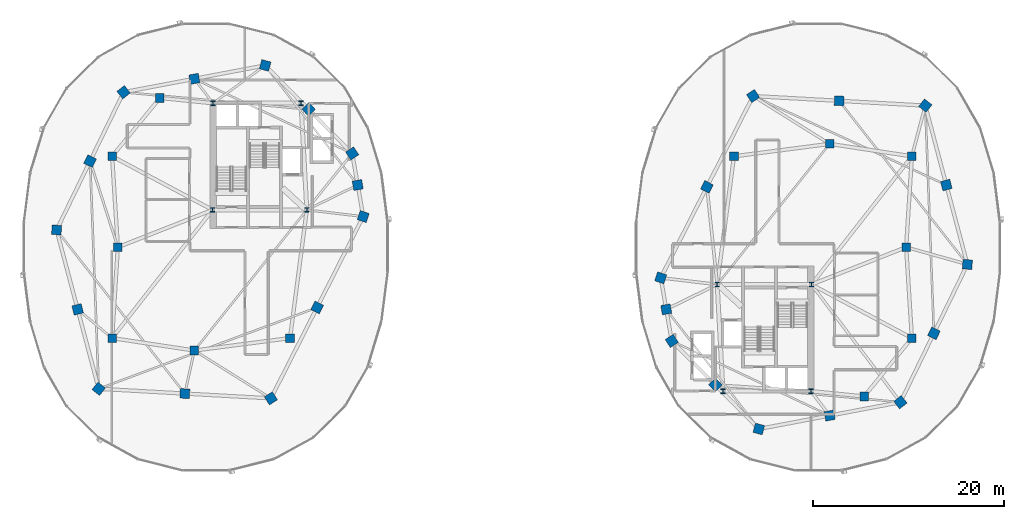
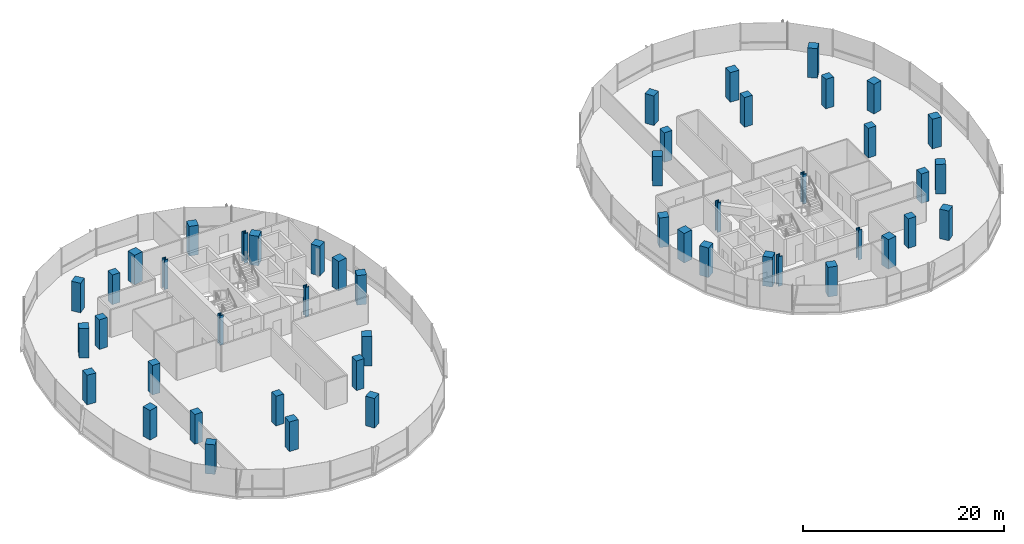
# One storey, part 1 of 21: 48 columns.
"""IFC4 building model written with IfcOpenShell, lengths in metres."""

import ifcopenshell
import ifcopenshell.guid

model = None  # the IFC model being written
_history = None  # IfcOwnerHistory: only IFC2X3 demands one
_inside = {}  # id of a spatial element -> (the spatial element, [elements in it])
_under = {}  # id of a project, library or spatial element -> (it, [spatial elements below it])
_declared = {}  # id of a project -> (the project, [libraries it declares])
_typed = {}  # id of a type object -> (the type object, [elements of that type])
_made_of = {}  # id of a material, layer set ... -> (it, [elements and type objects made of it])


def new_model(schema):
    """Start an empty IFC model of exactly this schema.

    Asked for "IFC4X3", IfcOpenShell would pick the latest addendum, in which some entities
    have other attributes; the version numbers below select the first issue.
    IFC2X3 requires an IfcOwnerHistory on every rooted entity: one is made here for all.
    """
    global model, _history
    if schema == "IFC4X3":
        model = ifcopenshell.file(schema_version=(4, 3, 0, 0))
    else:
        model = ifcopenshell.file(schema=schema)
    _inside.clear()
    _under.clear()
    _declared.clear()
    _typed.clear()
    _made_of.clear()
    _history = None
    if model.schema == "IFC2X3":
        org = make("IfcOrganization", Name="unknown")
        user = make(
            "IfcPersonAndOrganization",
            ThePerson=make("IfcPerson", FamilyName="unknown"),
            TheOrganization=org,
        )
        app = make(
            "IfcApplication",
            ApplicationDeveloper=org,
            Version="unknown",
            ApplicationFullName="unknown",
            ApplicationIdentifier="unknown",
        )
        _history = make(
            "IfcOwnerHistory",
            OwningUser=user,
            OwningApplication=app,
            ChangeAction="ADDED",
            CreationDate=0,
        )
    return model


def make(cls, **values):
    """One entity of the class cls with the attributes given. An attribute that is None is left unset."""
    return model.create_entity(
        cls, **{name: value for name, value in values.items() if value is not None}
    )


def rooted(cls, **values):
    """An entity with a GlobalId (a new one), such as an element, a storey or a relation."""
    return make(cls, GlobalId=ifcopenshell.guid.new(), OwnerHistory=_history, **values)


def si_unit(unit_type, name, prefix=None):
    """IfcSIUnit, for example si_unit("LENGTHUNIT", "METRE", prefix="MILLI")."""
    return make("IfcSIUnit", UnitType=unit_type, Prefix=prefix, Name=name)


def assignment(units):
    """IfcUnitAssignment: the units of a project."""
    return None if units is None else make("IfcUnitAssignment", Units=units)


def point(xyz):
    """IfcCartesianPoint."""
    return None if xyz is None else make("IfcCartesianPoint", Coordinates=xyz)


def direction(xyz):
    """IfcDirection."""
    return None if xyz is None else make("IfcDirection", DirectionRatios=xyz)


def frame(location, z_axis=None, x_axis=None):
    """IfcAxis2Placement3D, a coordinate frame: its origin and axes. An axis left out is left unset."""
    return make(
        "IfcAxis2Placement3D",
        Location=point(location),
        Axis=direction(z_axis),
        RefDirection=direction(x_axis),
    )


def frame_2d(location, x_axis=None):
    """IfcAxis2Placement2D, a coordinate frame in the plane: its origin and x axis."""
    return make(
        "IfcAxis2Placement2D", Location=point(location), RefDirection=direction(x_axis)
    )


def origin():
    """The frame at (0, 0, 0) with its axes left unset."""
    return frame((0.0, 0.0, 0.0))


def origin_2d():
    """The frame at (0, 0) in the plane with its x axis left unset."""
    return frame_2d((0.0, 0.0))


def place(relative_to, where):
    """IfcLocalPlacement: puts the frame where relative to a parent placement (None: the world)."""
    return make(
        "IfcLocalPlacement", PlacementRelTo=relative_to, RelativePlacement=where
    )


def context(
    kind, dimensions, precision=None, world=None, true_north=None, identifier=None
):
    """IfcGeometricRepresentationContext, for example the 3D "Model" context."""
    return make(
        "IfcGeometricRepresentationContext",
        ContextIdentifier=identifier,
        ContextType=kind,
        CoordinateSpaceDimension=dimensions,
        Precision=precision,
        WorldCoordinateSystem=world,
        TrueNorth=true_north,
    )


def subcontext(parent, identifier, kind, view, scale=None):
    """IfcGeometricRepresentationSubContext, for example "Body" below "Model"."""
    return make(
        "IfcGeometricRepresentationSubContext",
        ContextIdentifier=identifier,
        ContextType=kind,
        ParentContext=parent,
        TargetScale=scale,
        TargetView=view,
    )


def project(units=None, contexts=None):
    """IfcProject with its units and contexts."""
    return rooted(
        "IfcProject",
        Name="project",
        RepresentationContexts=contexts,
        UnitsInContext=assignment(units),
    )


def spatial(cls, under=None, at=None, **own):
    """A site, building, storey or space (cls), placed at a placement, below another one or the project."""
    s = rooted(cls, ObjectPlacement=at, **own)
    if under is not None:
        _under.setdefault(under.id(), (under, []))[1].append(s)
    return s


def profile(cls, at=None, kind="AREA", **sizes):
    """A parametric profile (cls). Its sizes go by their IFC names, for example OverallWidth=200.0."""
    return make(cls, ProfileType=kind, Position=at, **sizes)


def rectangle(**sizes):
    """IfcRectangleProfileDef."""
    return profile("IfcRectangleProfileDef", **sizes)


def i_section(**sizes):
    """IfcIShapeProfileDef."""
    return profile("IfcIShapeProfileDef", **sizes)


def extrude(swept, where, along, depth):
    """IfcExtrudedAreaSolid: the profile swept, set in the frame where, extruded along a direction by depth."""
    return make(
        "IfcExtrudedAreaSolid",
        SweptArea=swept,
        Position=where,
        ExtrudedDirection=direction(along),
        Depth=depth,
    )


def shape(context_of_items, identifier, shape_type, items):
    """IfcShapeRepresentation: the items that make up one representation, for example the "Body"."""
    return make(
        "IfcShapeRepresentation",
        ContextOfItems=context_of_items,
        RepresentationIdentifier=identifier,
        RepresentationType=shape_type,
        Items=items,
    )


def material(Name=None, Category=None):
    """IfcMaterial."""
    return make("IfcMaterial", Name=Name, Category=Category)


def material_profile(
    of_material, cross_section, Name=None, Category=None, Priority=None
):
    """IfcMaterialProfile: a cross section and its material."""
    return make(
        "IfcMaterialProfile",
        Name=Name,
        Material=of_material,
        Profile=cross_section,
        Priority=Priority,
        Category=Category,
    )


def profile_set(profiles, Name=None, composite=None):
    """IfcMaterialProfileSet."""
    return make(
        "IfcMaterialProfileSet",
        Name=Name,
        MaterialProfiles=profiles,
        CompositeProfile=composite,
    )


def made_of(thing, what):
    """Note that an element or type object is made of a material, layer set ...; save() writes the relation."""
    if what is not None:
        _made_of.setdefault(what.id(), (what, []))[1].append(thing)
    return thing


def type_object(cls, material=None, **own):
    """A type object (cls), such as IfcWallType, which elements share."""
    return made_of(rooted(cls, **own), material)


def element(
    cls,
    number,
    at=None,
    inside=None,
    cuts=None,
    type_object=None,
    material=None,
    context=None,
    identifier="Body",
    shape_type=None,
    held_by="IfcProductDefinitionShape",
    body=None,
    shapes=None,
    **own,
):
    """One element of the class cls, such as IfcWall. Its Tag is "e" and its number.

    at: its placement. inside: the storey or other place that contains it. cuts: it is an
    opening in that element (IfcRelVoidsElement). A single representation is given by context,
    identifier, shape_type and body (its items); several are given by shapes. held_by: the class
    of the entity that holds the representations. save() writes the other relations.
    """
    e = rooted(cls, Tag="e%d" % number, ObjectPlacement=at, **own)
    if body is not None:
        shapes = [shape(context, identifier, shape_type, body)]
    if shapes is not None:
        e.Representation = make(held_by, Representations=shapes)
    if inside is not None:
        _inside.setdefault(inside.id(), (inside, []))[1].append(e)
    if cuts is not None:
        rooted(
            "IfcRelVoidsElement", RelatingBuildingElement=cuts, RelatedOpeningElement=e
        )
    if type_object is not None:
        _typed.setdefault(type_object.id(), (type_object, []))[1].append(e)
    return made_of(e, material)


def aggregate(whole, parts):
    """IfcRelAggregates: a whole, such as a stair, and the parts it consists of."""
    return rooted("IfcRelAggregates", RelatingObject=whole, RelatedObjects=parts)


def save(model, path):
    """Write the relations noted so far, then the file.

    IfcRelAggregates (storeys below a building ...), IfcRelContainedInSpatialStructure (elements
    in a storey), IfcRelDefinesByType, IfcRelAssociatesMaterial and IfcRelDeclares: one each for
    every whole, place, type object, material and project.
    """
    for whole, parts in _under.values():
        aggregate(whole, parts)
    for where, things in _inside.values():
        rooted(
            "IfcRelContainedInSpatialStructure",
            RelatedElements=things,
            RelatingStructure=where,
        )
    for kind, things in _typed.values():
        rooted("IfcRelDefinesByType", RelatedObjects=things, RelatingType=kind)
    for what, things in _made_of.values():
        rooted("IfcRelAssociatesMaterial", RelatedObjects=things, RelatingMaterial=what)
    for by, libraries in _declared.values():
        rooted("IfcRelDeclares", RelatingContext=by, RelatedDefinitions=libraries)
    model.write(path)


model = new_model("IFC4")

# Units and contexts
model_context = context("Model", 3, precision=1e-05, world=origin(), true_north=direction((0.0, 1.0)))
body_context = subcontext(model_context, "Body", "Model", "MODEL_VIEW")
ifc_project = project(units=[si_unit("LENGTHUNIT", "METRE"), si_unit("AREAUNIT", "SQUARE_METRE"), si_unit("VOLUMEUNIT", "CUBIC_METRE"), si_unit("PLANEANGLEUNIT", "RADIAN"), si_unit("MASSUNIT", "GRAM", prefix="KILO"), si_unit("THERMODYNAMICTEMPERATUREUNIT", "KELVIN"), si_unit("POWERUNIT", "WATT")], contexts=[model_context])

# Site, building, storey
site_placement = place(None, origin())
site = spatial("IfcSite", under=ifc_project, at=site_placement, CompositionType="ELEMENT")
building_placement = place(site_placement, origin())
building = spatial("IfcBuilding", under=site, at=building_placement, Name="Cundina Bronze Exchange", CompositionType="ELEMENT")
storey_placement = place(building_placement, frame((0.0, 0.0, 183.60009765625)))
storey = spatial("IfcBuildingStorey", under=building, at=storey_placement, Name="L48", CompositionType="ELEMENT", Elevation=183.60009765625)

# Columns
ifc_material_1 = material(Name="Steel ASTM A992 Grade 50", Category="steel")
ifc_material_profile_1 = material_profile(ifc_material_1, i_section(OverallWidth=0.431884765625, OverallDepth=0.498046875, WebThickness=0.0556640625, FlangeThickness=0.0888671875, FilletRadius=0.01806640625, at=origin_2d()), Name="W14X500", Category="steel")
ifc_profile_set_1 = profile_set([ifc_material_profile_1], Name="Steel ASTM A992 Grade 50")
column_type_1 = type_object("IfcColumnType", Name="COL-STL-W14A", PredefinedType="COLUMN", material=ifc_profile_set_1)
for number, where, z_axis, x_axis, name in (
    (1, (-31.300048828125, 3.89990234375, 0.0), (0.0, 0.0, 1.0), (1.0, 0.0, 0.0), "L48 Core Anchor Column W1"),
    (2, (-21.449951171875, 3.89990234375, 0.0), (0.0, 0.0, 1.0), (1.0, 0.0, 0.0), "L48 Core Anchor Column W2"),
    (3, (-22.050048828125, 15.050048828125, 0.0), (0.0, 0.0, 1.0), (1.0, 0.0, 0.0), "L48 Core Anchor Column W3"),
    (4, (-31.25, 15.050048828125, 0.0), (0.0, 0.0, 1.0), (1.0, 0.0, 0.0), "L48 Core Anchor Column W4"),
    (5, (31.300048828125, -3.89990234375, 0.0), (0.0, 0.0, 1.0), (1.0, 0.0, 0.0), "L48 Core Anchor Column E1"),
    (6, (21.449951171875, -3.89990234375, 0.0), (0.0, 0.0, 1.0), (1.0, 0.0, 0.0), "L48 Core Anchor Column E2"),
    (7, (22.050048828125, -15.050048828125, 0.0), (0.0, 0.0, 1.0), (1.0, 0.0, 0.0), "L48 Core Anchor Column E3"),
    (8, (31.25, -15.050048828125, 0.0), (0.0, 0.0, 1.0), (1.0, 0.0, 0.0), "L48 Core Anchor Column E4"),
):
    element("IfcColumn", number, at=place(storey_placement, frame(where, z_axis=z_axis, x_axis=x_axis)), inside=storey, type_object=column_type_1, Name=name, PredefinedType="COLUMN", context=body_context, shape_type="SweptSolid", body=[
        extrude(i_section(OverallWidth=0.431884765625, OverallDepth=0.498046875, WebThickness=0.0556640625, FlangeThickness=0.0888671875, FilletRadius=0.01806640625, at=origin_2d()), origin(), (0.0, 0.0, 1.0), 3.599853515625),
    ])
ifc_material_2 = material(Name="Concrete C50/60", Category="concrete")
ifc_material_profile_2 = material_profile(ifc_material_2, rectangle(XDim=1.0, YDim=1.0, at=origin_2d()), Name="RC1000X1000", Category="concrete")
ifc_profile_set_2 = profile_set([ifc_material_profile_2], Name="Concrete C50/60")
column_type_2 = type_object("IfcColumnType", Name="COL-Z3-1000", PredefinedType="COLUMN", material=ifc_profile_set_2)
for number, where, z_axis, x_axis, name in (
    (9, (-15.550048828125, 3.199951171875, 0.0), (0.0, 0.0, 1.0), (0.315152163383, 0.949041155016, 0.0), "L48 W Perimeter Column 00"),
    (10, (-16.125, 6.5, 0.0), (0.0, 0.0, 1.0), (-0.171585221787, 0.985169280715, 0.0), "L48 W Perimeter Column 01"),
    (11, (-16.699951171875, 9.800048828125, 0.0), (0.0, 0.0, 1.0), (-0.544199833495, 0.838955625301, 0.0), "L48 W Perimeter Column 02"),
    (12, (-21.25, 14.39990234375, 0.0), (0.0, 0.0, 1.0), (-0.703270634186, 0.710922228581, 0.0), "L48 W Perimeter Column 03"),
    (13, (-25.800048828125, 19.0, 0.0), (0.0, 0.0, 1.0), (-0.965970984022, 0.258650455301, 0.0), "L48 W Perimeter Column 04"),
    (14, (-33.199951171875, 17.60009765625, 0.0), (0.0, 0.0, 1.0), (-0.98258037664, -0.185838110843, 0.0), "L48 W Perimeter Column 05"),
    (15, (-40.60009765625, 16.199951171875, 0.0), (0.0, 0.0, 1.0), (-0.785100778485, -0.619368038909, 0.0), "L48 W Perimeter Column 06"),
    (16, (-44.10009765625, 9.0, 0.0), (0.0, 0.0, 1.0), (-0.437115766651, -0.899405251566, 0.0), "L48 W Perimeter Column 07"),
    (17, (-47.60009765625, 1.800048828125, 0.0), (0.0, 0.0, 1.0), (-0.083503921245, -0.996507448611, 0.0), "L48 W Perimeter Column 08"),
    (18, (-45.39990234375, -6.5, 0.0), (0.0, 0.0, 1.0), (0.256289373133, -0.966600102017, 0.0), "L48 W Perimeter Column 09"),
    (19, (-43.199951171875, -14.800048828125, 0.0), (0.0, 0.0, 1.0), (0.786288432137, -0.61785961309, 0.0), "L48 W Perimeter Column 10"),
    (20, (-34.199951171875, -15.300048828125, 0.0), (0.0, 0.0, 1.0), (0.998460188734, -0.055472980025, 0.0), "L48 W Perimeter Column 11"),
    (21, (-25.199951171875, -15.800048828125, 0.0), (0.0, 0.0, 1.0), (0.838099763533, 0.545516989988, 0.0), "L48 W Perimeter Column 12"),
    (22, (-20.375, -6.300048828125, 0.0), (0.0, 0.0, 1.0), (0.452901591366, 0.891560513111, 0.0), "L48 W Perimeter Column 13"),
    (23, (15.550048828125, -3.199951171875, 0.0), (0.0, 0.0, 1.0), (-0.315152163383, -0.949041155016, 0.0), "L48 E Perimeter Column 00"),
    (24, (16.125, -6.5, 0.0), (0.0, 0.0, 1.0), (0.171585221787, -0.985169280715, 0.0), "L48 E Perimeter Column 01"),
    (25, (16.699951171875, -9.800048828125, 0.0), (0.0, 0.0, 1.0), (0.544199833495, -0.838955625301, 0.0), "L48 E Perimeter Column 02"),
    (26, (21.25, -14.39990234375, 0.0), (0.0, 0.0, 1.0), (0.703270634186, -0.710922228581, 0.0), "L48 E Perimeter Column 03"),
    (27, (25.800048828125, -19.0, 0.0), (0.0, 0.0, 1.0), (0.965970984022, -0.258650455301, 0.0), "L48 E Perimeter Column 04"),
    (28, (33.199951171875, -17.60009765625, 0.0), (0.0, 0.0, 1.0), (0.98258037664, 0.185838110843, 0.0), "L48 E Perimeter Column 05"),
    (29, (40.60009765625, -16.199951171875, 0.0), (0.0, 0.0, 1.0), (0.785100778485, 0.619368038909, 0.0), "L48 E Perimeter Column 06"),
    (30, (44.10009765625, -9.0, 0.0), (0.0, 0.0, 1.0), (0.437115766651, 0.899405251566, 0.0), "L48 E Perimeter Column 07"),
    (31, (47.60009765625, -1.800048828125, 0.0), (0.0, 0.0, 1.0), (0.083503921245, 0.996507448611, 0.0), "L48 E Perimeter Column 08"),
    (32, (45.39990234375, 6.5, 0.0), (0.0, 0.0, 1.0), (-0.256289373133, 0.966600102017, 0.0), "L48 E Perimeter Column 09"),
    (33, (43.199951171875, 14.800048828125, 0.0), (0.0, 0.0, 1.0), (-0.786288432137, 0.61785961309, 0.0), "L48 E Perimeter Column 10"),
    (34, (34.199951171875, 15.300048828125, 0.0), (0.0, 0.0, 1.0), (-0.998460188734, 0.055472980025, 0.0), "L48 E Perimeter Column 11"),
    (35, (25.199951171875, 15.800048828125, 0.0), (0.0, 0.0, 1.0), (-0.838099763533, -0.545516989988, 0.0), "L48 E Perimeter Column 12"),
    (36, (20.375, 6.300048828125, 0.0), (0.0, 0.0, 1.0), (-0.452901591366, -0.891560513111, 0.0), "L48 E Perimeter Column 13"),
):
    element("IfcColumn", number, at=place(storey_placement, frame(where, z_axis=z_axis, x_axis=x_axis)), inside=storey, type_object=column_type_2, Name=name, PredefinedType="COLUMN", context=body_context, shape_type="SweptSolid", body=[
        extrude(rectangle(XDim=1.0, YDim=1.0, at=origin_2d()), origin(), (0.0, 0.0, 1.0), 3.599853515625),
    ])
ifc_material_profile_3 = material_profile(ifc_material_2, rectangle(XDim=0.89990234375, YDim=0.89990234375, at=origin_2d()), Name="RC900X900", Category="concrete")
ifc_profile_set_3 = profile_set([ifc_material_profile_3], Name="Concrete C50/60")
column_type_3 = type_object("IfcColumnType", Name="COL-Z4-900", PredefinedType="COLUMN", material=ifc_profile_set_3)
for number, where, z_axis, x_axis, name in (
    (37, (-41.199951171875, 0.0, 0.0), (0.0, 0.0, 1.0), (1.0, 0.0, 0.0), "L48 W Inner Ring Column 1"),
    (38, (-41.800048828125, 9.5, 0.0), (0.0, 0.0, 1.0), (1.0, 0.0, 0.0), "L48 W Inner Ring Column 2"),
    (39, (-36.800048828125, 15.60009765625, 0.0), (0.0, 0.0, 1.0), (1.0, 0.0, 0.0), "L48 W Inner Ring Column 3"),
    (40, (-41.800048828125, -9.5, 0.0), (0.0, 0.0, 1.0), (1.0, 0.0, 0.0), "L48 W Inner Ring Column 4"),
    (41, (-33.199951171875, -10.800048828125, 0.0), (0.0, 0.0, 1.0), (1.0, 0.0, 0.0), "L48 W Inner Ring Column 5"),
    (42, (-23.199951171875, -9.5, 0.0), (0.0, 0.0, 1.0), (1.0, 0.0, 0.0), "L48 W Inner Ring Column 6"),
    (43, (41.199951171875, 0.0, 0.0), (0.0, 0.0, 1.0), (1.0, 0.0, 0.0), "L48 E Inner Ring Column 1"),
    (44, (41.800048828125, -9.5, 0.0), (0.0, 0.0, 1.0), (1.0, 0.0, 0.0), "L48 E Inner Ring Column 2"),
    (45, (36.800048828125, -15.60009765625, 0.0), (0.0, 0.0, 1.0), (1.0, 0.0, 0.0), "L48 E Inner Ring Column 3"),
    (46, (41.800048828125, 9.5, 0.0), (0.0, 0.0, 1.0), (1.0, 0.0, 0.0), "L48 E Inner Ring Column 4"),
    (47, (33.199951171875, 10.800048828125, 0.0), (0.0, 0.0, 1.0), (1.0, 0.0, 0.0), "L48 E Inner Ring Column 5"),
    (48, (23.199951171875, 9.5, 0.0), (0.0, 0.0, 1.0), (1.0, 0.0, 0.0), "L48 E Inner Ring Column 6"),
):
    element("IfcColumn", number, at=place(storey_placement, frame(where, z_axis=z_axis, x_axis=x_axis)), inside=storey, type_object=column_type_3, Name=name, PredefinedType="COLUMN", context=body_context, shape_type="SweptSolid", body=[
        extrude(rectangle(XDim=0.89990234375, YDim=0.89990234375, at=origin_2d()), origin(), (0.0, 0.0, 1.0), 3.599853515625),
    ])

save(model, "model.ifc")
